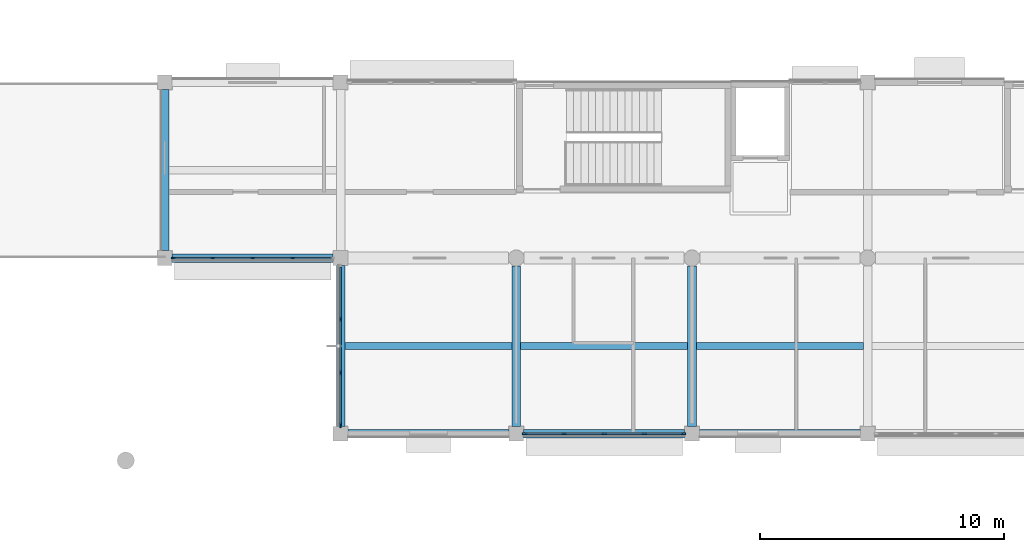
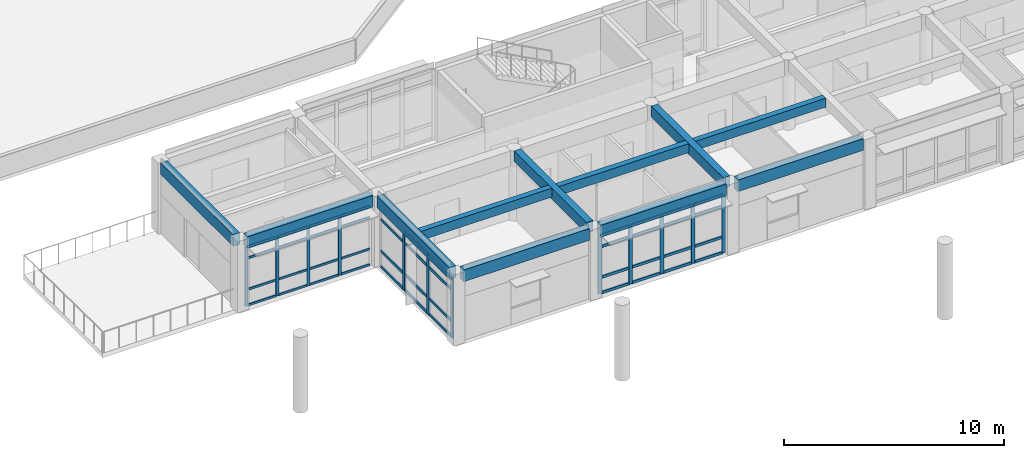
# One storey, part 3 of 55: 55 members, 11 beams, 3 elements without a shape of their own.
"""IFC4 building model written with IfcOpenShell, lengths in metres."""

import ifcopenshell
import ifcopenshell.guid

model = None  # the IFC model being written
_history = None  # IfcOwnerHistory: only IFC2X3 demands one
_inside = {}  # id of a spatial element -> (the spatial element, [elements in it])
_under = {}  # id of a project, library or spatial element -> (it, [spatial elements below it])
_declared = {}  # id of a project -> (the project, [libraries it declares])
_typed = {}  # id of a type object -> (the type object, [elements of that type])
_made_of = {}  # id of a material, layer set ... -> (it, [elements and type objects made of it])


def new_model(schema):
    """Start an empty IFC model of exactly this schema.

    Asked for "IFC4X3", IfcOpenShell would pick the latest addendum, in which some entities
    have other attributes; the version numbers below select the first issue.
    IFC2X3 requires an IfcOwnerHistory on every rooted entity: one is made here for all.
    """
    global model, _history
    if schema == "IFC4X3":
        model = ifcopenshell.file(schema_version=(4, 3, 0, 0))
    else:
        model = ifcopenshell.file(schema=schema)
    _inside.clear()
    _under.clear()
    _declared.clear()
    _typed.clear()
    _made_of.clear()
    _history = None
    if model.schema == "IFC2X3":
        org = make("IfcOrganization", Name="unknown")
        user = make(
            "IfcPersonAndOrganization",
            ThePerson=make("IfcPerson", FamilyName="unknown"),
            TheOrganization=org,
        )
        app = make(
            "IfcApplication",
            ApplicationDeveloper=org,
            Version="unknown",
            ApplicationFullName="unknown",
            ApplicationIdentifier="unknown",
        )
        _history = make(
            "IfcOwnerHistory",
            OwningUser=user,
            OwningApplication=app,
            ChangeAction="ADDED",
            CreationDate=0,
        )
    return model


def make(cls, **values):
    """One entity of the class cls with the attributes given. An attribute that is None is left unset."""
    return model.create_entity(
        cls, **{name: value for name, value in values.items() if value is not None}
    )


def rooted(cls, **values):
    """An entity with a GlobalId (a new one), such as an element, a storey or a relation."""
    return make(cls, GlobalId=ifcopenshell.guid.new(), OwnerHistory=_history, **values)


def si_unit(unit_type, name, prefix=None):
    """IfcSIUnit, for example si_unit("LENGTHUNIT", "METRE", prefix="MILLI")."""
    return make("IfcSIUnit", UnitType=unit_type, Prefix=prefix, Name=name)


def assignment(units):
    """IfcUnitAssignment: the units of a project."""
    return None if units is None else make("IfcUnitAssignment", Units=units)


def point(xyz):
    """IfcCartesianPoint."""
    return None if xyz is None else make("IfcCartesianPoint", Coordinates=xyz)


def direction(xyz):
    """IfcDirection."""
    return None if xyz is None else make("IfcDirection", DirectionRatios=xyz)


def frame(location, z_axis=None, x_axis=None):
    """IfcAxis2Placement3D, a coordinate frame: its origin and axes. An axis left out is left unset."""
    return make(
        "IfcAxis2Placement3D",
        Location=point(location),
        Axis=direction(z_axis),
        RefDirection=direction(x_axis),
    )


def frame_2d(location, x_axis=None):
    """IfcAxis2Placement2D, a coordinate frame in the plane: its origin and x axis."""
    return make(
        "IfcAxis2Placement2D", Location=point(location), RefDirection=direction(x_axis)
    )


def origin():
    """The frame at (0, 0, 0) with its axes left unset."""
    return frame((0.0, 0.0, 0.0))


def origin_2d():
    """The frame at (0, 0) in the plane with its x axis left unset."""
    return frame_2d((0.0, 0.0))


def place(relative_to, where):
    """IfcLocalPlacement: puts the frame where relative to a parent placement (None: the world)."""
    return make(
        "IfcLocalPlacement", PlacementRelTo=relative_to, RelativePlacement=where
    )


def context(
    kind, dimensions, precision=None, world=None, true_north=None, identifier=None
):
    """IfcGeometricRepresentationContext, for example the 3D "Model" context."""
    return make(
        "IfcGeometricRepresentationContext",
        ContextIdentifier=identifier,
        ContextType=kind,
        CoordinateSpaceDimension=dimensions,
        Precision=precision,
        WorldCoordinateSystem=world,
        TrueNorth=true_north,
    )


def subcontext(parent, identifier, kind, view, scale=None):
    """IfcGeometricRepresentationSubContext, for example "Body" below "Model"."""
    return make(
        "IfcGeometricRepresentationSubContext",
        ContextIdentifier=identifier,
        ContextType=kind,
        ParentContext=parent,
        TargetScale=scale,
        TargetView=view,
    )


def project(units=None, contexts=None):
    """IfcProject with its units and contexts."""
    return rooted(
        "IfcProject",
        Name="project",
        RepresentationContexts=contexts,
        UnitsInContext=assignment(units),
    )


def spatial(cls, under=None, at=None, **own):
    """A site, building, storey or space (cls), placed at a placement, below another one or the project."""
    s = rooted(cls, ObjectPlacement=at, **own)
    if under is not None:
        _under.setdefault(under.id(), (under, []))[1].append(s)
    return s


def profile(cls, at=None, kind="AREA", **sizes):
    """A parametric profile (cls). Its sizes go by their IFC names, for example OverallWidth=200.0."""
    return make(cls, ProfileType=kind, Position=at, **sizes)


def rectangle(**sizes):
    """IfcRectangleProfileDef."""
    return profile("IfcRectangleProfileDef", **sizes)


def extrude(swept, where, along, depth):
    """IfcExtrudedAreaSolid: the profile swept, set in the frame where, extruded along a direction by depth."""
    return make(
        "IfcExtrudedAreaSolid",
        SweptArea=swept,
        Position=where,
        ExtrudedDirection=direction(along),
        Depth=depth,
    )


def shape(context_of_items, identifier, shape_type, items):
    """IfcShapeRepresentation: the items that make up one representation, for example the "Body"."""
    return make(
        "IfcShapeRepresentation",
        ContextOfItems=context_of_items,
        RepresentationIdentifier=identifier,
        RepresentationType=shape_type,
        Items=items,
    )


def material(Name=None, Category=None):
    """IfcMaterial."""
    return make("IfcMaterial", Name=Name, Category=Category)


def layer(
    of_material, thickness, ventilated=None, Name=None, Category=None, Priority=None
):
    """IfcMaterialLayer: one layer of a wall or slab, of a material (None: an air gap)."""
    return make(
        "IfcMaterialLayer",
        Material=of_material,
        LayerThickness=thickness,
        IsVentilated=ventilated,
        Name=Name,
        Category=Category,
        Priority=Priority,
    )


def layer_set(layers, Name=None):
    """IfcMaterialLayerSet."""
    return make("IfcMaterialLayerSet", MaterialLayers=layers, LayerSetName=Name)


def material_profile(
    of_material, cross_section, Name=None, Category=None, Priority=None
):
    """IfcMaterialProfile: a cross section and its material."""
    return make(
        "IfcMaterialProfile",
        Name=Name,
        Material=of_material,
        Profile=cross_section,
        Priority=Priority,
        Category=Category,
    )


def profile_set(profiles, Name=None, composite=None):
    """IfcMaterialProfileSet."""
    return make(
        "IfcMaterialProfileSet",
        Name=Name,
        MaterialProfiles=profiles,
        CompositeProfile=composite,
    )


def made_of(thing, what):
    """Note that an element or type object is made of a material, layer set ...; save() writes the relation."""
    if what is not None:
        _made_of.setdefault(what.id(), (what, []))[1].append(thing)
    return thing


def type_object(cls, material=None, **own):
    """A type object (cls), such as IfcWallType, which elements share."""
    return made_of(rooted(cls, **own), material)


def element(
    cls,
    number,
    at=None,
    inside=None,
    cuts=None,
    type_object=None,
    material=None,
    context=None,
    identifier="Body",
    shape_type=None,
    held_by="IfcProductDefinitionShape",
    body=None,
    shapes=None,
    **own,
):
    """One element of the class cls, such as IfcWall. Its Tag is "e" and its number.

    at: its placement. inside: the storey or other place that contains it. cuts: it is an
    opening in that element (IfcRelVoidsElement). A single representation is given by context,
    identifier, shape_type and body (its items); several are given by shapes. held_by: the class
    of the entity that holds the representations. save() writes the other relations.
    """
    e = rooted(cls, Tag="e%d" % number, ObjectPlacement=at, **own)
    if body is not None:
        shapes = [shape(context, identifier, shape_type, body)]
    if shapes is not None:
        e.Representation = make(held_by, Representations=shapes)
    if inside is not None:
        _inside.setdefault(inside.id(), (inside, []))[1].append(e)
    if cuts is not None:
        rooted(
            "IfcRelVoidsElement", RelatingBuildingElement=cuts, RelatedOpeningElement=e
        )
    if type_object is not None:
        _typed.setdefault(type_object.id(), (type_object, []))[1].append(e)
    return made_of(e, material)


def aggregate(whole, parts):
    """IfcRelAggregates: a whole, such as a stair, and the parts it consists of."""
    return rooted("IfcRelAggregates", RelatingObject=whole, RelatedObjects=parts)


def save(model, path):
    """Write the relations noted so far, then the file.

    IfcRelAggregates (storeys below a building ...), IfcRelContainedInSpatialStructure (elements
    in a storey), IfcRelDefinesByType, IfcRelAssociatesMaterial and IfcRelDeclares: one each for
    every whole, place, type object, material and project.
    """
    for whole, parts in _under.values():
        aggregate(whole, parts)
    for where, things in _inside.values():
        rooted(
            "IfcRelContainedInSpatialStructure",
            RelatedElements=things,
            RelatingStructure=where,
        )
    for kind, things in _typed.values():
        rooted("IfcRelDefinesByType", RelatedObjects=things, RelatingType=kind)
    for what, things in _made_of.values():
        rooted("IfcRelAssociatesMaterial", RelatedObjects=things, RelatingMaterial=what)
    for by, libraries in _declared.values():
        rooted("IfcRelDeclares", RelatingContext=by, RelatedDefinitions=libraries)
    model.write(path)


model = new_model("IFC4")

# Units and contexts
model_context = context("Model", 3, precision=1e-05, world=origin(), true_north=direction((0.0, 1.0)))
body_context = subcontext(model_context, "Body", "Model", "MODEL_VIEW")
ifc_project = project(units=[si_unit("LENGTHUNIT", "METRE"), si_unit("AREAUNIT", "SQUARE_METRE"), si_unit("VOLUMEUNIT", "CUBIC_METRE"), si_unit("PLANEANGLEUNIT", "RADIAN"), si_unit("MASSUNIT", "GRAM", prefix="KILO")], contexts=[model_context])

# Site, building, storey
site_placement = place(None, origin())
site = spatial("IfcSite", under=ifc_project, at=site_placement, CompositionType="ELEMENT")
building_placement = place(site_placement, origin())
building = spatial("IfcBuilding", under=site, at=building_placement, Name="Namkhue Oval Health Centre", CompositionType="ELEMENT")
storey_placement = place(building_placement, frame((0.0, 0.0, 9.60009765625)))
storey = spatial("IfcBuildingStorey", under=building, at=storey_placement, Name="L02", CompositionType="ELEMENT", Elevation=9.60009765625)

# Curtain wall, members
ifc_material_1 = material(Name="Anodised aluminium EN AW-6063 T6", Category="aluminium")
ifc_layer_1 = layer(ifc_material_1, 0.159912109375)
ifc_layer_set_1 = layer_set([ifc_layer_1], Name="Anodised aluminium EN AW-6063 T6")
curtain_wall_type_1 = type_object("IfcCurtainWallType", Name="UNITISED CURTAIN WALL M1800", PredefinedType="NOTDEFINED", material=ifc_layer_set_1)
curtain_wall_1_placement = place(storey_placement, origin())
curtain_wall_1 = element("IfcCurtainWall", 1, at=curtain_wall_1_placement, inside=storey, type_object=curtain_wall_type_1, Name="Volume V4 L02 Unitised Curtain Wall 167", PredefinedType="NOTDEFINED")
ifc_material_profile_1 = material_profile(ifc_material_1, rectangle(XDim=0.06494140625, YDim=0.159912109375, at=origin_2d()), Name="ALU 65x160")
ifc_profile_set_1 = profile_set([ifc_material_profile_1], Name="Anodised aluminium EN AW-6063 T6")
member_type_1 = type_object("IfcMemberType", Name="CURTAIN WALL MULLION 65X160", PredefinedType="MULLION", material=ifc_profile_set_1)
member_1_placement = place(storey_placement, frame((43.54345703125, 21.60009765625, 0.0), z_axis=(0.0, 0.0, 1.0), x_axis=(0.0, 1.0, 0.0)))
member_1 = element("IfcMember", 2, at=member_1_placement, type_object=member_type_1, Name="CW-05 mullion 1", PredefinedType="MULLION", context=body_context, shape_type="SweptSolid", body=[
    extrude(rectangle(XDim=0.06494140625, YDim=0.159912109375, at=origin_2d()), origin(), (0.0, 0.0, 1.0), 3.2919921875),
])
member_2_placement = place(storey_placement, frame((45.155517578125, 21.60009765625, 0.0), z_axis=(0.0, 0.0, 1.0), x_axis=(0.0, 1.0, 0.0)))
member_2 = element("IfcMember", 3, at=member_2_placement, type_object=member_type_1, Name="CW-05 mullion 2", PredefinedType="MULLION", context=body_context, shape_type="SweptSolid", body=[
    extrude(rectangle(XDim=0.06494140625, YDim=0.159912109375, at=origin_2d()), origin(), (0.0, 0.0, 1.0), 3.2919921875),
])
member_3_placement = place(storey_placement, frame((46.800048828125, 21.60009765625, 0.0), z_axis=(0.0, 0.0, 1.0), x_axis=(0.0, 1.0, 0.0)))
member_3 = element("IfcMember", 4, at=member_3_placement, type_object=member_type_1, Name="CW-05 mullion 3", PredefinedType="MULLION", context=body_context, shape_type="SweptSolid", body=[
    extrude(rectangle(XDim=0.06494140625, YDim=0.159912109375, at=origin_2d()), origin(), (0.0, 0.0, 1.0), 3.2919921875),
])
member_4_placement = place(storey_placement, frame((48.444580078125, 21.60009765625, 0.0), z_axis=(0.0, 0.0, 1.0), x_axis=(0.0, 1.0, 0.0)))
member_4 = element("IfcMember", 5, at=member_4_placement, type_object=member_type_1, Name="CW-05 mullion 4", PredefinedType="MULLION", context=body_context, shape_type="SweptSolid", body=[
    extrude(rectangle(XDim=0.06494140625, YDim=0.159912109375, at=origin_2d()), origin(), (0.0, 0.0, 1.0), 3.2919921875),
])

ifc_layer_2 = layer(ifc_material_1, 0.159912109375)
ifc_layer_set_2 = layer_set([ifc_layer_2], Name="Anodised aluminium EN AW-6063 T6")
curtain_wall_type_2 = type_object("IfcCurtainWallType", Name="UNITISED CURTAIN WALL M1600", PredefinedType="NOTDEFINED", material=ifc_layer_set_2)
curtain_wall_2_placement = place(storey_placement, origin())
curtain_wall_2 = element("IfcCurtainWall", 6, at=curtain_wall_2_placement, inside=storey, type_object=curtain_wall_type_2, Name="Volume V4 L02 Unitised Curtain Wall 160", PredefinedType="NOTDEFINED")
ifc_material_profile_2 = material_profile(ifc_material_1, rectangle(XDim=0.074951171875, YDim=0.199951171875, at=origin_2d()), Name="ALU 75x200")
ifc_profile_set_2 = profile_set([ifc_material_profile_2], Name="Anodised aluminium EN AW-6063 T6")
member_type_2 = type_object("IfcMemberType", Name="CURTAIN WALL MULLION 75X200", PredefinedType="MULLION", material=ifc_profile_set_2)
member_5_placement = place(storey_placement, frame((57.948486328125, 14.39990234375, 0.0), z_axis=(0.0, 0.0, 1.0), x_axis=(0.0, 1.0, 0.0)))
member_5 = element("IfcMember", 7, at=member_5_placement, type_object=member_type_2, Name="CW-04 mullion 1", PredefinedType="MULLION", context=body_context, shape_type="SweptSolid", body=[
    extrude(rectangle(XDim=0.074951171875, YDim=0.199951171875, at=origin_2d()), origin(), (0.0, 0.0, 1.0), 3.25),
])
member_6_placement = place(storey_placement, frame((59.555419921875, 14.39990234375, 0.0), z_axis=(0.0, 0.0, 1.0), x_axis=(0.0, 1.0, 0.0)))
member_6 = element("IfcMember", 8, at=member_6_placement, type_object=member_type_2, Name="CW-04 mullion 2", PredefinedType="MULLION", context=body_context, shape_type="SweptSolid", body=[
    extrude(rectangle(XDim=0.074951171875, YDim=0.199951171875, at=origin_2d()), origin(), (0.0, 0.0, 1.0), 3.25),
])
member_7_placement = place(storey_placement, frame((61.199951171875, 14.39990234375, 0.0), z_axis=(0.0, 0.0, 1.0), x_axis=(0.0, 1.0, 0.0)))
member_7 = element("IfcMember", 9, at=member_7_placement, type_object=member_type_2, Name="CW-04 mullion 3", PredefinedType="MULLION", context=body_context, shape_type="SweptSolid", body=[
    extrude(rectangle(XDim=0.074951171875, YDim=0.199951171875, at=origin_2d()), origin(), (0.0, 0.0, 1.0), 3.25),
])
member_8_placement = place(storey_placement, frame((62.844482421875, 14.39990234375, 0.0), z_axis=(0.0, 0.0, 1.0), x_axis=(0.0, 1.0, 0.0)))
member_8 = element("IfcMember", 10, at=member_8_placement, type_object=member_type_2, Name="CW-04 mullion 4", PredefinedType="MULLION", context=body_context, shape_type="SweptSolid", body=[
    extrude(rectangle(XDim=0.074951171875, YDim=0.199951171875, at=origin_2d()), origin(), (0.0, 0.0, 1.0), 3.25),
])
member_9_placement = place(storey_placement, frame((64.451416015625, 14.39990234375, 0.0), z_axis=(0.0, 0.0, 1.0), x_axis=(0.0, 1.0, 0.0)))
member_9 = element("IfcMember", 11, at=member_9_placement, type_object=member_type_2, Name="CW-04 mullion 5", PredefinedType="MULLION", context=body_context, shape_type="SweptSolid", body=[
    extrude(rectangle(XDim=0.074951171875, YDim=0.199951171875, at=origin_2d()), origin(), (0.0, 0.0, 1.0), 3.25),
])

ifc_layer_3 = layer(ifc_material_1, 0.159912109375)
ifc_layer_set_3 = layer_set([ifc_layer_3], Name="Anodised aluminium EN AW-6063 T6")
curtain_wall_type_3 = type_object("IfcCurtainWallType", Name="UNITISED CURTAIN WALL M2000", PredefinedType="NOTDEFINED", material=ifc_layer_set_3)
curtain_wall_3_placement = place(storey_placement, origin())
curtain_wall_3 = element("IfcCurtainWall", 12, at=curtain_wall_3_placement, inside=storey, type_object=curtain_wall_type_3, Name="Volume V4 L02 Unitised Curtain Wall 168", PredefinedType="NOTDEFINED")
member_10_placement = place(storey_placement, frame((50.39990234375, 19.096435546875, 0.0), z_axis=(0.0, 0.0, 1.0), x_axis=(1.0, 0.0, 0.0)))
member_10 = element("IfcMember", 13, at=member_10_placement, type_object=member_type_2, Name="CW-06 mullion 2", PredefinedType="MULLION", context=body_context, shape_type="SweptSolid", body=[
    extrude(rectangle(XDim=0.074951171875, YDim=0.199951171875, at=origin_2d()), origin(), (0.0, 0.0, 1.0), 3.2919921875),
])
member_11_placement = place(storey_placement, frame((50.39990234375, 16.903564453125, 0.0), z_axis=(0.0, 0.0, 1.0), x_axis=(1.0, 0.0, 0.0)))
member_11 = element("IfcMember", 14, at=member_11_placement, type_object=member_type_2, Name="CW-06 mullion 3", PredefinedType="MULLION", context=body_context, shape_type="SweptSolid", body=[
    extrude(rectangle(XDim=0.074951171875, YDim=0.199951171875, at=origin_2d()), origin(), (0.0, 0.0, 1.0), 3.2919921875),
])
member_12_placement = place(storey_placement, frame((50.39990234375, 14.74853515625, 0.0), z_axis=(0.0, 0.0, 1.0), x_axis=(1.0, 0.0, 0.0)))
member_12 = element("IfcMember", 15, at=member_12_placement, type_object=member_type_2, Name="CW-06 mullion 4", PredefinedType="MULLION", context=body_context, shape_type="SweptSolid", body=[
    extrude(rectangle(XDim=0.074951171875, YDim=0.199951171875, at=origin_2d()), origin(), (0.0, 0.0, 1.0), 3.2919921875),
])

# Member
ifc_material_profile_3 = material_profile(ifc_material_1, rectangle(XDim=0.06494140625, YDim=0.1201171875, at=origin_2d()), Name="ALU 65x120")
ifc_profile_set_3 = profile_set([ifc_material_profile_3], Name="Anodised aluminium EN AW-6063 T6")
member_type_3 = type_object("IfcMemberType", Name="CURTAIN WALL TRANSOM 65X120", PredefinedType="USERDEFINED", material=ifc_profile_set_3)
member_13_placement = place(storey_placement, frame((43.575927734375, 21.60009765625, 0.032470703125), z_axis=(1.0, 0.0, 0.0), x_axis=(0.0, 1.0, 0.0)))
member_13 = element("IfcMember", 16, at=member_13_placement, type_object=member_type_3, Name="CW-05 transom 1.1", ObjectType="TRANSOM", PredefinedType="USERDEFINED", context=body_context, shape_type="SweptSolid", body=[
    extrude(rectangle(XDim=0.06494140625, YDim=0.1201171875, at=origin_2d()), origin(), (0.0, 0.0, 1.0), 1.547119140625),
])

member_14_placement = place(storey_placement, frame((43.575927734375, 21.60009765625, 0.89990234375), z_axis=(1.0, 0.0, 0.0), x_axis=(0.0, 1.0, 0.0)))
member_14 = element("IfcMember", 17, at=member_14_placement, type_object=member_type_3, Name="CW-05 transom 1.2", ObjectType="TRANSOM", PredefinedType="USERDEFINED", context=body_context, shape_type="SweptSolid", body=[
    extrude(rectangle(XDim=0.06494140625, YDim=0.1201171875, at=origin_2d()), origin(), (0.0, 0.0, 1.0), 1.547119140625),
])

member_15_placement = place(storey_placement, frame((43.575927734375, 21.60009765625, 2.641845703125), z_axis=(1.0, 0.0, 0.0), x_axis=(0.0, 1.0, 0.0)))
member_15 = element("IfcMember", 18, at=member_15_placement, type_object=member_type_3, Name="CW-05 transom 1.3", ObjectType="TRANSOM", PredefinedType="USERDEFINED", context=body_context, shape_type="SweptSolid", body=[
    extrude(rectangle(XDim=0.06494140625, YDim=0.1201171875, at=origin_2d()), origin(), (0.0, 0.0, 1.0), 1.547119140625),
])

member_16_placement = place(storey_placement, frame((43.575927734375, 21.60009765625, 3.259521484375), z_axis=(1.0, 0.0, 0.0), x_axis=(0.0, 1.0, 0.0)))
member_16 = element("IfcMember", 19, at=member_16_placement, type_object=member_type_3, Name="CW-05 transom 1.4", ObjectType="TRANSOM", PredefinedType="USERDEFINED", context=body_context, shape_type="SweptSolid", body=[
    extrude(rectangle(XDim=0.06494140625, YDim=0.1201171875, at=origin_2d()), origin(), (0.0, 0.0, 1.0), 1.547119140625),
])

member_17_placement = place(storey_placement, frame((45.18798828125, 21.60009765625, 0.032470703125), z_axis=(1.0, 0.0, 0.0), x_axis=(0.0, 1.0, 0.0)))
member_17 = element("IfcMember", 20, at=member_17_placement, type_object=member_type_3, Name="CW-05 transom 2.1", ObjectType="TRANSOM", PredefinedType="USERDEFINED", context=body_context, shape_type="SweptSolid", body=[
    extrude(rectangle(XDim=0.06494140625, YDim=0.1201171875, at=origin_2d()), origin(), (0.0, 0.0, 1.0), 1.57958984375),
])

member_18_placement = place(storey_placement, frame((45.18798828125, 21.60009765625, 0.89990234375), z_axis=(1.0, 0.0, 0.0), x_axis=(0.0, 1.0, 0.0)))
member_18 = element("IfcMember", 21, at=member_18_placement, type_object=member_type_3, Name="CW-05 transom 2.2", ObjectType="TRANSOM", PredefinedType="USERDEFINED", context=body_context, shape_type="SweptSolid", body=[
    extrude(rectangle(XDim=0.06494140625, YDim=0.1201171875, at=origin_2d()), origin(), (0.0, 0.0, 1.0), 1.57958984375),
])

member_19_placement = place(storey_placement, frame((45.18798828125, 21.60009765625, 2.641845703125), z_axis=(1.0, 0.0, 0.0), x_axis=(0.0, 1.0, 0.0)))
member_19 = element("IfcMember", 22, at=member_19_placement, type_object=member_type_3, Name="CW-05 transom 2.3", ObjectType="TRANSOM", PredefinedType="USERDEFINED", context=body_context, shape_type="SweptSolid", body=[
    extrude(rectangle(XDim=0.06494140625, YDim=0.1201171875, at=origin_2d()), origin(), (0.0, 0.0, 1.0), 1.57958984375),
])

member_20_placement = place(storey_placement, frame((45.18798828125, 21.60009765625, 3.259521484375), z_axis=(1.0, 0.0, 0.0), x_axis=(0.0, 1.0, 0.0)))
member_20 = element("IfcMember", 23, at=member_20_placement, type_object=member_type_3, Name="CW-05 transom 2.4", ObjectType="TRANSOM", PredefinedType="USERDEFINED", context=body_context, shape_type="SweptSolid", body=[
    extrude(rectangle(XDim=0.06494140625, YDim=0.1201171875, at=origin_2d()), origin(), (0.0, 0.0, 1.0), 1.57958984375),
])

member_21_placement = place(storey_placement, frame((46.83251953125, 21.60009765625, 0.032470703125), z_axis=(1.0, 0.0, 0.0), x_axis=(0.0, 1.0, 0.0)))
member_21 = element("IfcMember", 24, at=member_21_placement, type_object=member_type_3, Name="CW-05 transom 3.1", ObjectType="TRANSOM", PredefinedType="USERDEFINED", context=body_context, shape_type="SweptSolid", body=[
    extrude(rectangle(XDim=0.06494140625, YDim=0.1201171875, at=origin_2d()), origin(), (0.0, 0.0, 1.0), 1.57958984375),
])

member_22_placement = place(storey_placement, frame((46.83251953125, 21.60009765625, 0.89990234375), z_axis=(1.0, 0.0, 0.0), x_axis=(0.0, 1.0, 0.0)))
member_22 = element("IfcMember", 25, at=member_22_placement, type_object=member_type_3, Name="CW-05 transom 3.2", ObjectType="TRANSOM", PredefinedType="USERDEFINED", context=body_context, shape_type="SweptSolid", body=[
    extrude(rectangle(XDim=0.06494140625, YDim=0.1201171875, at=origin_2d()), origin(), (0.0, 0.0, 1.0), 1.57958984375),
])

member_23_placement = place(storey_placement, frame((46.83251953125, 21.60009765625, 2.641845703125), z_axis=(1.0, 0.0, 0.0), x_axis=(0.0, 1.0, 0.0)))
member_23 = element("IfcMember", 26, at=member_23_placement, type_object=member_type_3, Name="CW-05 transom 3.3", ObjectType="TRANSOM", PredefinedType="USERDEFINED", context=body_context, shape_type="SweptSolid", body=[
    extrude(rectangle(XDim=0.06494140625, YDim=0.1201171875, at=origin_2d()), origin(), (0.0, 0.0, 1.0), 1.57958984375),
])

member_24_placement = place(storey_placement, frame((46.83251953125, 21.60009765625, 3.259521484375), z_axis=(1.0, 0.0, 0.0), x_axis=(0.0, 1.0, 0.0)))
member_24 = element("IfcMember", 27, at=member_24_placement, type_object=member_type_3, Name="CW-05 transom 3.4", ObjectType="TRANSOM", PredefinedType="USERDEFINED", context=body_context, shape_type="SweptSolid", body=[
    extrude(rectangle(XDim=0.06494140625, YDim=0.1201171875, at=origin_2d()), origin(), (0.0, 0.0, 1.0), 1.57958984375),
])

member_25_placement = place(storey_placement, frame((48.47705078125, 21.60009765625, 0.032470703125), z_axis=(1.0, 0.0, 0.0), x_axis=(0.0, 1.0, 0.0)))
member_25 = element("IfcMember", 28, at=member_25_placement, type_object=member_type_3, Name="CW-05 transom 4.1", ObjectType="TRANSOM", PredefinedType="USERDEFINED", context=body_context, shape_type="SweptSolid", body=[
    extrude(rectangle(XDim=0.06494140625, YDim=0.1201171875, at=origin_2d()), origin(), (0.0, 0.0, 1.0), 1.546875),
])

member_26_placement = place(storey_placement, frame((48.47705078125, 21.60009765625, 0.89990234375), z_axis=(1.0, 0.0, 0.0), x_axis=(0.0, 1.0, 0.0)))
member_26 = element("IfcMember", 29, at=member_26_placement, type_object=member_type_3, Name="CW-05 transom 4.2", ObjectType="TRANSOM", PredefinedType="USERDEFINED", context=body_context, shape_type="SweptSolid", body=[
    extrude(rectangle(XDim=0.06494140625, YDim=0.1201171875, at=origin_2d()), origin(), (0.0, 0.0, 1.0), 1.546875),
])

member_27_placement = place(storey_placement, frame((48.47705078125, 21.60009765625, 2.641845703125), z_axis=(1.0, 0.0, 0.0), x_axis=(0.0, 1.0, 0.0)))
member_27 = element("IfcMember", 30, at=member_27_placement, type_object=member_type_3, Name="CW-05 transom 4.3", ObjectType="TRANSOM", PredefinedType="USERDEFINED", context=body_context, shape_type="SweptSolid", body=[
    extrude(rectangle(XDim=0.06494140625, YDim=0.1201171875, at=origin_2d()), origin(), (0.0, 0.0, 1.0), 1.546875),
])

member_28_placement = place(storey_placement, frame((48.47705078125, 21.60009765625, 3.259521484375), z_axis=(1.0, 0.0, 0.0), x_axis=(0.0, 1.0, 0.0)))
member_28 = element("IfcMember", 31, at=member_28_placement, type_object=member_type_3, Name="CW-05 transom 4.4", ObjectType="TRANSOM", PredefinedType="USERDEFINED", context=body_context, shape_type="SweptSolid", body=[
    extrude(rectangle(XDim=0.06494140625, YDim=0.1201171875, at=origin_2d()), origin(), (0.0, 0.0, 1.0), 1.546875),
])

aggregate(curtain_wall_1, [member_1, member_2, member_3, member_4, member_13, member_14, member_15, member_16, member_17, member_18, member_19, member_20, member_21, member_22, member_23, member_24, member_25, member_26, member_27, member_28])

ifc_material_profile_4 = material_profile(ifc_material_1, rectangle(XDim=0.074951171875, YDim=0.14990234375, at=origin_2d()), Name="ALU 75x150")
ifc_profile_set_4 = profile_set([ifc_material_profile_4], Name="Anodised aluminium EN AW-6063 T6")
member_type_4 = type_object("IfcMemberType", Name="CURTAIN WALL TRANSOM 75X150", PredefinedType="USERDEFINED", material=ifc_profile_set_4)
member_29_placement = place(storey_placement, frame((57.986083984375, 14.39990234375, 0.037353515625), z_axis=(1.0, 0.0, 0.0), x_axis=(0.0, 1.0, 0.0)))
member_29 = element("IfcMember", 32, at=member_29_placement, type_object=member_type_4, Name="CW-04 transom 1.1", ObjectType="TRANSOM", PredefinedType="USERDEFINED", context=body_context, shape_type="SweptSolid", body=[
    extrude(rectangle(XDim=0.074951171875, YDim=0.14990234375, at=origin_2d()), origin(), (0.0, 0.0, 1.0), 1.531982421875),
])

member_30_placement = place(storey_placement, frame((57.986083984375, 14.39990234375, 0.89990234375), z_axis=(1.0, 0.0, 0.0), x_axis=(0.0, 1.0, 0.0)))
member_30 = element("IfcMember", 33, at=member_30_placement, type_object=member_type_4, Name="CW-04 transom 1.2", ObjectType="TRANSOM", PredefinedType="USERDEFINED", context=body_context, shape_type="SweptSolid", body=[
    extrude(rectangle(XDim=0.074951171875, YDim=0.14990234375, at=origin_2d()), origin(), (0.0, 0.0, 1.0), 1.531982421875),
])

member_31_placement = place(storey_placement, frame((57.986083984375, 14.39990234375, 2.599853515625), z_axis=(1.0, 0.0, 0.0), x_axis=(0.0, 1.0, 0.0)))
member_31 = element("IfcMember", 34, at=member_31_placement, type_object=member_type_4, Name="CW-04 transom 1.3", ObjectType="TRANSOM", PredefinedType="USERDEFINED", context=body_context, shape_type="SweptSolid", body=[
    extrude(rectangle(XDim=0.074951171875, YDim=0.14990234375, at=origin_2d()), origin(), (0.0, 0.0, 1.0), 1.531982421875),
])

member_32_placement = place(storey_placement, frame((57.986083984375, 14.39990234375, 3.21240234375), z_axis=(1.0, 0.0, 0.0), x_axis=(0.0, 1.0, 0.0)))
member_32 = element("IfcMember", 35, at=member_32_placement, type_object=member_type_4, Name="CW-04 transom 1.4", ObjectType="TRANSOM", PredefinedType="USERDEFINED", context=body_context, shape_type="SweptSolid", body=[
    extrude(rectangle(XDim=0.074951171875, YDim=0.14990234375, at=origin_2d()), origin(), (0.0, 0.0, 1.0), 1.531982421875),
])

member_33_placement = place(storey_placement, frame((59.593017578125, 14.39990234375, 0.037353515625), z_axis=(1.0, 0.0, 0.0), x_axis=(0.0, 1.0, 0.0)))
member_33 = element("IfcMember", 36, at=member_33_placement, type_object=member_type_4, Name="CW-04 transom 2.1", ObjectType="TRANSOM", PredefinedType="USERDEFINED", context=body_context, shape_type="SweptSolid", body=[
    extrude(rectangle(XDim=0.074951171875, YDim=0.14990234375, at=origin_2d()), origin(), (0.0, 0.0, 1.0), 1.569580078125),
])

member_34_placement = place(storey_placement, frame((59.593017578125, 14.39990234375, 0.89990234375), z_axis=(1.0, 0.0, 0.0), x_axis=(0.0, 1.0, 0.0)))
member_34 = element("IfcMember", 37, at=member_34_placement, type_object=member_type_4, Name="CW-04 transom 2.2", ObjectType="TRANSOM", PredefinedType="USERDEFINED", context=body_context, shape_type="SweptSolid", body=[
    extrude(rectangle(XDim=0.074951171875, YDim=0.14990234375, at=origin_2d()), origin(), (0.0, 0.0, 1.0), 1.569580078125),
])

member_35_placement = place(storey_placement, frame((59.593017578125, 14.39990234375, 2.599853515625), z_axis=(1.0, 0.0, 0.0), x_axis=(0.0, 1.0, 0.0)))
member_35 = element("IfcMember", 38, at=member_35_placement, type_object=member_type_4, Name="CW-04 transom 2.3", ObjectType="TRANSOM", PredefinedType="USERDEFINED", context=body_context, shape_type="SweptSolid", body=[
    extrude(rectangle(XDim=0.074951171875, YDim=0.14990234375, at=origin_2d()), origin(), (0.0, 0.0, 1.0), 1.569580078125),
])

member_36_placement = place(storey_placement, frame((59.593017578125, 14.39990234375, 3.21240234375), z_axis=(1.0, 0.0, 0.0), x_axis=(0.0, 1.0, 0.0)))
member_36 = element("IfcMember", 39, at=member_36_placement, type_object=member_type_4, Name="CW-04 transom 2.4", ObjectType="TRANSOM", PredefinedType="USERDEFINED", context=body_context, shape_type="SweptSolid", body=[
    extrude(rectangle(XDim=0.074951171875, YDim=0.14990234375, at=origin_2d()), origin(), (0.0, 0.0, 1.0), 1.569580078125),
])

member_37_placement = place(storey_placement, frame((61.237548828125, 14.39990234375, 0.037353515625), z_axis=(1.0, 0.0, 0.0), x_axis=(0.0, 1.0, 0.0)))
member_37 = element("IfcMember", 40, at=member_37_placement, type_object=member_type_4, Name="CW-04 transom 3.1", ObjectType="TRANSOM", PredefinedType="USERDEFINED", context=body_context, shape_type="SweptSolid", body=[
    extrude(rectangle(XDim=0.074951171875, YDim=0.14990234375, at=origin_2d()), origin(), (0.0, 0.0, 1.0), 1.5693359375),
])

member_38_placement = place(storey_placement, frame((61.237548828125, 14.39990234375, 0.89990234375), z_axis=(1.0, 0.0, 0.0), x_axis=(0.0, 1.0, 0.0)))
member_38 = element("IfcMember", 41, at=member_38_placement, type_object=member_type_4, Name="CW-04 transom 3.2", ObjectType="TRANSOM", PredefinedType="USERDEFINED", context=body_context, shape_type="SweptSolid", body=[
    extrude(rectangle(XDim=0.074951171875, YDim=0.14990234375, at=origin_2d()), origin(), (0.0, 0.0, 1.0), 1.5693359375),
])

member_39_placement = place(storey_placement, frame((61.237548828125, 14.39990234375, 2.599853515625), z_axis=(1.0, 0.0, 0.0), x_axis=(0.0, 1.0, 0.0)))
member_39 = element("IfcMember", 42, at=member_39_placement, type_object=member_type_4, Name="CW-04 transom 3.3", ObjectType="TRANSOM", PredefinedType="USERDEFINED", context=body_context, shape_type="SweptSolid", body=[
    extrude(rectangle(XDim=0.074951171875, YDim=0.14990234375, at=origin_2d()), origin(), (0.0, 0.0, 1.0), 1.5693359375),
])

member_40_placement = place(storey_placement, frame((61.237548828125, 14.39990234375, 3.21240234375), z_axis=(1.0, 0.0, 0.0), x_axis=(0.0, 1.0, 0.0)))
member_40 = element("IfcMember", 43, at=member_40_placement, type_object=member_type_4, Name="CW-04 transom 3.4", ObjectType="TRANSOM", PredefinedType="USERDEFINED", context=body_context, shape_type="SweptSolid", body=[
    extrude(rectangle(XDim=0.074951171875, YDim=0.14990234375, at=origin_2d()), origin(), (0.0, 0.0, 1.0), 1.5693359375),
])

member_41_placement = place(storey_placement, frame((62.882080078125, 14.39990234375, 0.037353515625), z_axis=(1.0, 0.0, 0.0), x_axis=(0.0, 1.0, 0.0)))
member_41 = element("IfcMember", 44, at=member_41_placement, type_object=member_type_4, Name="CW-04 transom 4.1", ObjectType="TRANSOM", PredefinedType="USERDEFINED", context=body_context, shape_type="SweptSolid", body=[
    extrude(rectangle(XDim=0.074951171875, YDim=0.14990234375, at=origin_2d()), origin(), (0.0, 0.0, 1.0), 1.531982421875),
])

member_42_placement = place(storey_placement, frame((62.882080078125, 14.39990234375, 0.89990234375), z_axis=(1.0, 0.0, 0.0), x_axis=(0.0, 1.0, 0.0)))
member_42 = element("IfcMember", 45, at=member_42_placement, type_object=member_type_4, Name="CW-04 transom 4.2", ObjectType="TRANSOM", PredefinedType="USERDEFINED", context=body_context, shape_type="SweptSolid", body=[
    extrude(rectangle(XDim=0.074951171875, YDim=0.14990234375, at=origin_2d()), origin(), (0.0, 0.0, 1.0), 1.531982421875),
])

member_43_placement = place(storey_placement, frame((62.882080078125, 14.39990234375, 2.599853515625), z_axis=(1.0, 0.0, 0.0), x_axis=(0.0, 1.0, 0.0)))
member_43 = element("IfcMember", 46, at=member_43_placement, type_object=member_type_4, Name="CW-04 transom 4.3", ObjectType="TRANSOM", PredefinedType="USERDEFINED", context=body_context, shape_type="SweptSolid", body=[
    extrude(rectangle(XDim=0.074951171875, YDim=0.14990234375, at=origin_2d()), origin(), (0.0, 0.0, 1.0), 1.531982421875),
])

member_44_placement = place(storey_placement, frame((62.882080078125, 14.39990234375, 3.21240234375), z_axis=(1.0, 0.0, 0.0), x_axis=(0.0, 1.0, 0.0)))
member_44 = element("IfcMember", 47, at=member_44_placement, type_object=member_type_4, Name="CW-04 transom 4.4", ObjectType="TRANSOM", PredefinedType="USERDEFINED", context=body_context, shape_type="SweptSolid", body=[
    extrude(rectangle(XDim=0.074951171875, YDim=0.14990234375, at=origin_2d()), origin(), (0.0, 0.0, 1.0), 1.531982421875),
])

aggregate(curtain_wall_2, [member_5, member_6, member_7, member_8, member_9, member_29, member_30, member_31, member_32, member_33, member_34, member_35, member_36, member_37, member_38, member_39, member_40, member_41, member_42, member_43, member_44])

member_45_placement = place(storey_placement, frame((50.39990234375, 21.214111328125, 0.037353515625), z_axis=(0.0, -1.0, 0.0), x_axis=(1.0, 0.0, 0.0)))
member_45 = element("IfcMember", 48, at=member_45_placement, type_object=member_type_4, Name="CW-06 transom 1.1", ObjectType="TRANSOM", PredefinedType="USERDEFINED", context=body_context, shape_type="SweptSolid", body=[
    extrude(rectangle(XDim=0.074951171875, YDim=0.14990234375, at=origin_2d()), origin(), (0.0, 0.0, 1.0), 2.080322265625),
])

member_46_placement = place(storey_placement, frame((50.39990234375, 21.214111328125, 0.89990234375), z_axis=(0.0, -1.0, 0.0), x_axis=(1.0, 0.0, 0.0)))
member_46 = element("IfcMember", 49, at=member_46_placement, type_object=member_type_4, Name="CW-06 transom 1.2", ObjectType="TRANSOM", PredefinedType="USERDEFINED", context=body_context, shape_type="SweptSolid", body=[
    extrude(rectangle(XDim=0.074951171875, YDim=0.14990234375, at=origin_2d()), origin(), (0.0, 0.0, 1.0), 2.080322265625),
])

member_47_placement = place(storey_placement, frame((50.39990234375, 21.214111328125, 2.641845703125), z_axis=(0.0, -1.0, 0.0), x_axis=(1.0, 0.0, 0.0)))
member_47 = element("IfcMember", 50, at=member_47_placement, type_object=member_type_4, Name="CW-06 transom 1.3", ObjectType="TRANSOM", PredefinedType="USERDEFINED", context=body_context, shape_type="SweptSolid", body=[
    extrude(rectangle(XDim=0.074951171875, YDim=0.14990234375, at=origin_2d()), origin(), (0.0, 0.0, 1.0), 2.080322265625),
])

member_48_placement = place(storey_placement, frame((50.39990234375, 19.058837890625, 0.037353515625), z_axis=(0.0, -1.0, 0.0), x_axis=(1.0, 0.0, 0.0)))
member_48 = element("IfcMember", 51, at=member_48_placement, type_object=member_type_4, Name="CW-06 transom 2.1", ObjectType="TRANSOM", PredefinedType="USERDEFINED", context=body_context, shape_type="SweptSolid", body=[
    extrude(rectangle(XDim=0.074951171875, YDim=0.14990234375, at=origin_2d()), origin(), (0.0, 0.0, 1.0), 2.11767578125),
])

member_49_placement = place(storey_placement, frame((50.39990234375, 19.058837890625, 0.89990234375), z_axis=(0.0, -1.0, 0.0), x_axis=(1.0, 0.0, 0.0)))
member_49 = element("IfcMember", 52, at=member_49_placement, type_object=member_type_4, Name="CW-06 transom 2.2", ObjectType="TRANSOM", PredefinedType="USERDEFINED", context=body_context, shape_type="SweptSolid", body=[
    extrude(rectangle(XDim=0.074951171875, YDim=0.14990234375, at=origin_2d()), origin(), (0.0, 0.0, 1.0), 2.11767578125),
])

member_50_placement = place(storey_placement, frame((50.39990234375, 19.058837890625, 2.641845703125), z_axis=(0.0, -1.0, 0.0), x_axis=(1.0, 0.0, 0.0)))
member_50 = element("IfcMember", 53, at=member_50_placement, type_object=member_type_4, Name="CW-06 transom 2.3", ObjectType="TRANSOM", PredefinedType="USERDEFINED", context=body_context, shape_type="SweptSolid", body=[
    extrude(rectangle(XDim=0.074951171875, YDim=0.14990234375, at=origin_2d()), origin(), (0.0, 0.0, 1.0), 2.11767578125),
])

member_51_placement = place(storey_placement, frame((50.39990234375, 19.058837890625, 3.25439453125), z_axis=(0.0, -1.0, 0.0), x_axis=(1.0, 0.0, 0.0)))
member_51 = element("IfcMember", 54, at=member_51_placement, type_object=member_type_4, Name="CW-06 transom 2.4", ObjectType="TRANSOM", PredefinedType="USERDEFINED", context=body_context, shape_type="SweptSolid", body=[
    extrude(rectangle(XDim=0.074951171875, YDim=0.14990234375, at=origin_2d()), origin(), (0.0, 0.0, 1.0), 2.11767578125),
])

member_52_placement = place(storey_placement, frame((50.39990234375, 16.8662109375, 0.037353515625), z_axis=(0.0, -1.0, 0.0), x_axis=(1.0, 0.0, 0.0)))
member_52 = element("IfcMember", 55, at=member_52_placement, type_object=member_type_4, Name="CW-06 transom 3.1", ObjectType="TRANSOM", PredefinedType="USERDEFINED", context=body_context, shape_type="SweptSolid", body=[
    extrude(rectangle(XDim=0.074951171875, YDim=0.14990234375, at=origin_2d()), origin(), (0.0, 0.0, 1.0), 2.080322265625),
])

member_53_placement = place(storey_placement, frame((50.39990234375, 16.8662109375, 0.89990234375), z_axis=(0.0, -1.0, 0.0), x_axis=(1.0, 0.0, 0.0)))
member_53 = element("IfcMember", 56, at=member_53_placement, type_object=member_type_4, Name="CW-06 transom 3.2", ObjectType="TRANSOM", PredefinedType="USERDEFINED", context=body_context, shape_type="SweptSolid", body=[
    extrude(rectangle(XDim=0.074951171875, YDim=0.14990234375, at=origin_2d()), origin(), (0.0, 0.0, 1.0), 2.080322265625),
])

member_54_placement = place(storey_placement, frame((50.39990234375, 16.8662109375, 2.641845703125), z_axis=(0.0, -1.0, 0.0), x_axis=(1.0, 0.0, 0.0)))
member_54 = element("IfcMember", 57, at=member_54_placement, type_object=member_type_4, Name="CW-06 transom 3.3", ObjectType="TRANSOM", PredefinedType="USERDEFINED", context=body_context, shape_type="SweptSolid", body=[
    extrude(rectangle(XDim=0.074951171875, YDim=0.14990234375, at=origin_2d()), origin(), (0.0, 0.0, 1.0), 2.080322265625),
])

member_55_placement = place(storey_placement, frame((50.39990234375, 16.8662109375, 3.25439453125), z_axis=(0.0, -1.0, 0.0), x_axis=(1.0, 0.0, 0.0)))
member_55 = element("IfcMember", 58, at=member_55_placement, type_object=member_type_4, Name="CW-06 transom 3.4", ObjectType="TRANSOM", PredefinedType="USERDEFINED", context=body_context, shape_type="SweptSolid", body=[
    extrude(rectangle(XDim=0.074951171875, YDim=0.14990234375, at=origin_2d()), origin(), (0.0, 0.0, 1.0), 2.080322265625),
])

aggregate(curtain_wall_3, [member_10, member_11, member_12, member_45, member_46, member_47, member_48, member_49, member_50, member_51, member_52, member_53, member_54, member_55])

# Beams
ifc_material_2 = material(Name="Reinforced concrete C30/37 (TCVN B35)", Category="concrete")
ifc_material_profile_5 = material_profile(ifc_material_2, rectangle(XDim=0.35009765625, YDim=0.60009765625, at=origin_2d()), Name="RC 350x600")
ifc_profile_set_5 = profile_set([ifc_material_profile_5], Name="Reinforced concrete C30/37 (TCVN B35)")
beam_type_1 = type_object("IfcBeamType", Name="FLOOR BEAM RC 350X600", PredefinedType="BEAM", material=ifc_profile_set_5)
for number, where, z_axis, x_axis, name in (
    (59, (57.60009765625, 14.699951171875, 3.641845703125), (0.0, 1.0, 0.0), (-1.0, 0.0, 0.0), "Volume V4 L03 Beam 9/C-D"),
    (60, (64.800048828125, 14.699951171875, 3.599853515625), (0.0, 1.0, 0.0), (-1.0, 0.0, 0.0), "Volume V4 L03 Beam 10/C-D"),
):
    element("IfcBeam", number, at=place(storey_placement, frame(where, z_axis=z_axis, x_axis=x_axis)), inside=storey, type_object=beam_type_1, Name=name, PredefinedType="BEAM", context=body_context, shape_type="SweptSolid", body=[
        extrude(rectangle(XDim=0.35009765625, YDim=0.60009765625, at=origin_2d()), origin(), (0.0, 0.0, 1.0), 6.574951171875),
    ])
ifc_material_3 = material(Name="Reinforced concrete C35/45 (TCVN B40)", Category="concrete")
ifc_material_profile_6 = material_profile(ifc_material_3, rectangle(XDim=0.35009765625, YDim=0.64990234375, at=origin_2d()), Name="RC 350x650")
ifc_profile_set_6 = profile_set([ifc_material_profile_6], Name="Reinforced concrete C35/45 (TCVN B40)")
beam_type_2 = type_object("IfcBeamType", Name="PERIMETER SPANDREL BEAM 350X650", PredefinedType="SPANDREL", material=ifc_profile_set_6)
for number, where, z_axis, x_axis, name in (
    (61, (50.699951171875, 14.39990234375, 3.616943359375), (1.0, 0.0, 0.0), (0.0, 1.0, 0.0), "Volume V4 L03 Girder C/8-9"),
    (62, (57.89990234375, 14.39990234375, 3.574951171875), (1.0, 0.0, 0.0), (0.0, 1.0, 0.0), "Volume V4 L03 Girder C/9-10"),
):
    element("IfcBeam", number, at=place(storey_placement, frame(where, z_axis=z_axis, x_axis=x_axis)), inside=storey, type_object=beam_type_2, Name=name, PredefinedType="SPANDREL", context=body_context, shape_type="SweptSolid", body=[
        extrude(rectangle(XDim=0.35009765625, YDim=0.64990234375, at=origin_2d()), origin(), (0.0, 0.0, 1.0), 6.60009765625),
    ])
beam_1_placement = place(storey_placement, frame((65.10009765625, 14.39990234375, 3.574951171875), z_axis=(1.0, 0.0, 0.0), x_axis=(0.0, 1.0, 0.0)))
element("IfcBeam", 63, at=beam_1_placement, inside=storey, type_object=beam_type_2, Name="Volume V4 L03 Girder C/10-11", PredefinedType="SPANDREL", context=body_context, shape_type="SweptSolid", body=[
    extrude(rectangle(XDim=0.35009765625, YDim=0.64990234375, at=origin_2d()), origin(), (0.0, 0.0, 1.0), 6.599853515625),
])
for number, where, z_axis, x_axis, name in (
    (64, (43.5, 21.60009765625, 3.616943359375), (1.0, 0.0, 0.0), (0.0, 1.0, 0.0), "Volume V4 L03 Girder D/7-8"),
    (65, (43.199951171875, 21.89990234375, 3.616943359375), (0.0, 1.0, 0.0), (-1.0, 0.0, 0.0), "Volume V4 L03 Beam 7/D-E"),
    (66, (50.39990234375, 14.699951171875, 3.616943359375), (0.0, 1.0, 0.0), (-1.0, 0.0, 0.0), "Volume V4 L03 Beam 8/C-D"),
):
    element("IfcBeam", number, at=place(storey_placement, frame(where, z_axis=z_axis, x_axis=x_axis)), inside=storey, type_object=beam_type_2, Name=name, PredefinedType="SPANDREL", context=body_context, shape_type="SweptSolid", body=[
        extrude(rectangle(XDim=0.35009765625, YDim=0.64990234375, at=origin_2d()), origin(), (0.0, 0.0, 1.0), 6.60009765625),
    ])
ifc_material_profile_7 = material_profile(ifc_material_2, rectangle(XDim=0.300048828125, YDim=0.5, at=origin_2d()), Name="RC 300x500")
ifc_profile_set_7 = profile_set([ifc_material_profile_7], Name="Reinforced concrete C30/37 (TCVN B35)")
beam_type_3 = type_object("IfcBeamType", Name="SECONDARY JOIST RC 300X500", PredefinedType="JOIST", material=ifc_profile_set_7)
for number, where, z_axis, x_axis, name in (
    (67, (50.574951171875, 18.0, 3.69189453125), (1.0, 0.0, 0.0), (0.0, 1.0, 0.0), "Volume V4 L03 Secondary Joist 8-9"),
    (68, (57.77490234375, 18.0, 3.64990234375), (1.0, 0.0, 0.0), (0.0, 1.0, 0.0), "Volume V4 L03 Secondary Joist 9-10"),
):
    element("IfcBeam", number, at=place(storey_placement, frame(where, z_axis=z_axis, x_axis=x_axis)), inside=storey, type_object=beam_type_3, Name=name, PredefinedType="JOIST", context=body_context, shape_type="SweptSolid", body=[
        extrude(rectangle(XDim=0.300048828125, YDim=0.5, at=origin_2d()), origin(), (0.0, 0.0, 1.0), 6.85009765625),
    ])
beam_2_placement = place(storey_placement, frame((64.97509765625, 18.0, 3.64990234375), z_axis=(1.0, 0.0, 0.0), x_axis=(0.0, 1.0, 0.0)))
element("IfcBeam", 69, at=beam_2_placement, inside=storey, type_object=beam_type_3, Name="Volume V4 L03 Secondary Joist 10-11", PredefinedType="JOIST", context=body_context, shape_type="SweptSolid", body=[
    extrude(rectangle(XDim=0.300048828125, YDim=0.5, at=origin_2d()), origin(), (0.0, 0.0, 1.0), 6.849853515625),
])

save(model, "model.ifc")
